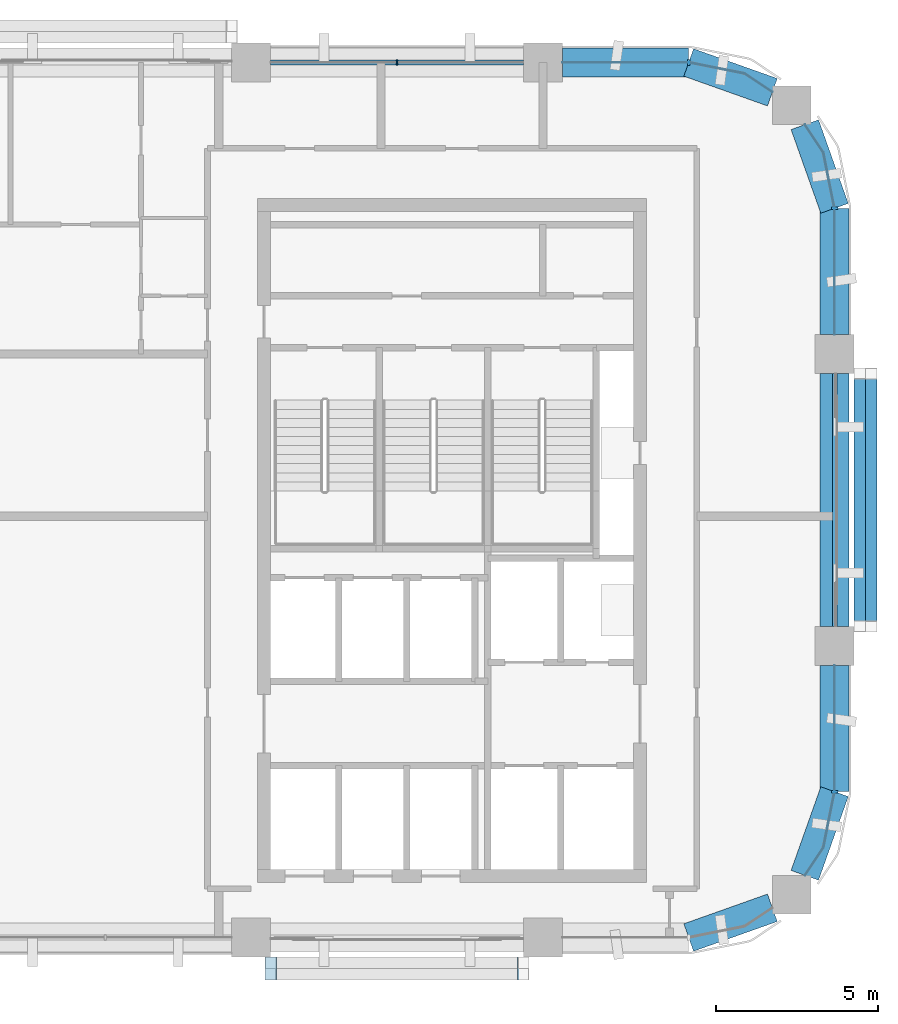
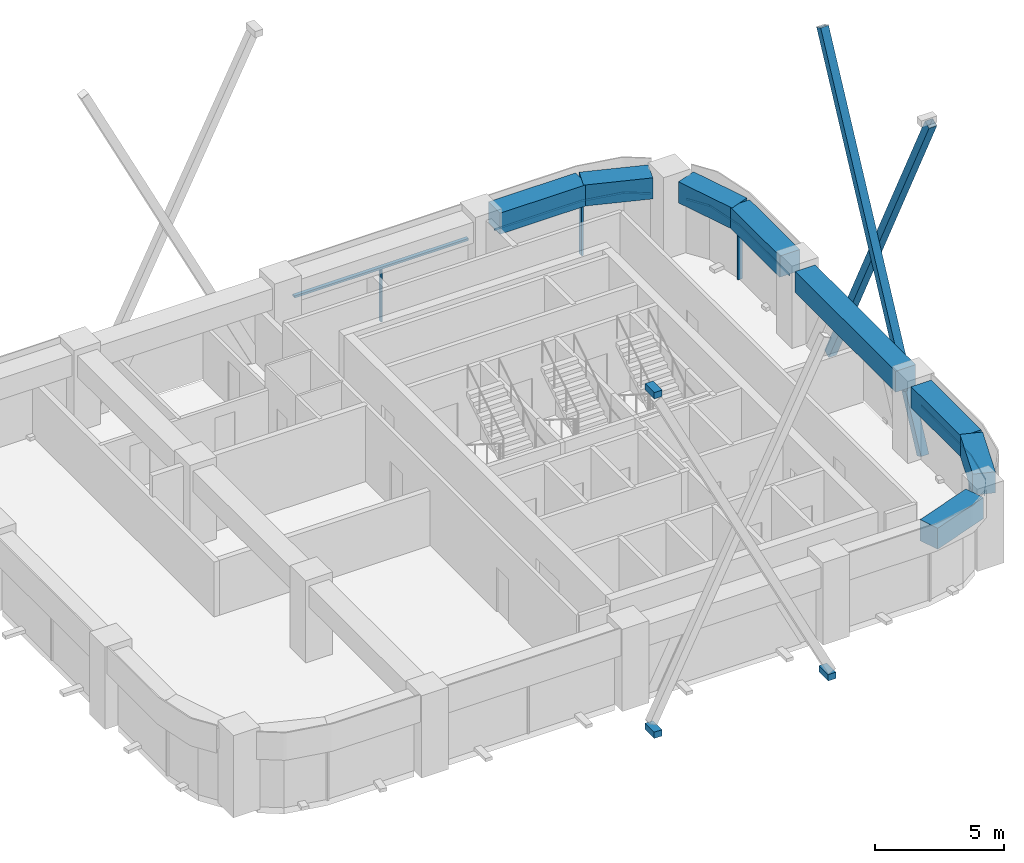
# One storey, part 4 of 10: 14 members, 8 beams, 5 elements without a shape of their own.
"""IFC4 building model written with IfcOpenShell, lengths in metres."""

from ifc_helpers import new_model, si_unit, direction, frame, origin, origin_2d, place, context, subcontext, project, spatial, polyline, rectangle, hollow_rectangle, outline, extrude, material, layer, layer_set, material_profile, profile_set, type_object, element, aggregate, save


model = new_model("IFC4")

# Units and contexts
model_context = context("Model", 3, precision=1e-05, world=origin(), true_north=direction((0.0, 1.0)))
body_context = subcontext(model_context, "Body", "Model", "MODEL_VIEW")
ifc_project = project(units=[si_unit("LENGTHUNIT", "METRE"), si_unit("AREAUNIT", "SQUARE_METRE"), si_unit("VOLUMEUNIT", "CUBIC_METRE"), si_unit("PLANEANGLEUNIT", "RADIAN"), si_unit("MASSUNIT", "GRAM", prefix="KILO")], contexts=[model_context])

# Site, building, storey
site_placement = place(None, origin())
site = spatial("IfcSite", under=ifc_project, at=site_placement, CompositionType="ELEMENT")
building_placement = place(site_placement, origin())
building = spatial("IfcBuilding", under=site, at=building_placement, Name="Tessera Arch", CompositionType="ELEMENT")
storey_placement = place(building_placement, frame((0.0, 0.0, 265.699951171875)))
storey = spatial("IfcBuildingStorey", under=building, at=storey_placement, Name="L64", CompositionType="ELEMENT", Elevation=265.699951171875)

# Members
ifc_material_1 = material(Name="Steel A500 Gr C", Category="steel")
ifc_material_profile_1 = material_profile(ifc_material_1, hollow_rectangle(XDim=0.355712890625, YDim=0.355712890625, WallThickness=0.01171875, at=origin_2d()), Name="HSS14x14x1/2")
ifc_profile_set_1 = profile_set([ifc_material_profile_1], Name="Steel A500 Gr C")
member_type_1 = type_object("IfcMemberType", Name="Brace HSS14x14x1/2 Steel A500 Gr C", PredefinedType="BRACE", material=ifc_profile_set_1)
for number, where, z_axis, x_axis, name in (
    (1, (54.77783203125, 36.60009765625, -0.800048828125), (0.0, 0.447202397208, 0.894432790058), (-1.0, 0.0, 0.0), "Brace E54.27-0 A L64-L67"),
    (2, (55.13330078125, 44.39990234375, -0.800048828125), (0.0, -0.447202397208, 0.894432790058), (1.0, 0.0, 0.0), "Brace E54.27-0 B L64-L67"),
):
    element("IfcMember", number, at=place(storey_placement, frame(where, z_axis=z_axis, x_axis=x_axis)), inside=storey, type_object=member_type_1, Name=name, PredefinedType="BRACE", context=body_context, shape_type="SweptSolid", body=[
        extrude(hollow_rectangle(XDim=0.355712890625, YDim=0.355712890625, WallThickness=0.01171875, at=origin_2d()), origin(), (0.0, 0.0, 1.0), 17.44140625),
    ])

# Curtain wall, members
ifc_material_2 = material(Name="CW1 curtain wall")
curtain_wall_type_1 = type_object("IfcCurtainWallType", Name="CW1 curtain wall", PredefinedType="NOTDEFINED", material=ifc_material_2)
curtain_wall_1_placement = place(storey_placement, origin())
curtain_wall_1 = element("IfcCurtainWall", 3, at=curtain_wall_1_placement, inside=storey, type_object=curtain_wall_type_1, Name="CW1 curtain wall N54.18/1 L64", PredefinedType="NOTDEFINED")
ifc_material_3 = material(Name="Anodised aluminium pale metal", Category="aluminium")
ifc_material_profile_2 = material_profile(ifc_material_3, rectangle(XDim=0.159912109375, YDim=0.06005859375, at=origin_2d()), Name="AL 60x160")
ifc_profile_set_2 = profile_set([ifc_material_profile_2], Name="Anodised aluminium pale metal")
member_type_2 = type_object("IfcMemberType", Name="CW1 mullion", PredefinedType="MULLION", material=ifc_profile_set_2)
member_1_placement = place(storey_placement, frame((40.5, 54.0, 0.0), z_axis=(0.0, 0.0, 1.0), x_axis=(0.0, -1.0, 0.0)))
member_1 = element("IfcMember", 4, at=member_1_placement, type_object=member_type_2, Name="CW1 mullion N54.18/1 1", PredefinedType="MULLION", context=body_context, shape_type="SweptSolid", body=[
    extrude(rectangle(XDim=0.159912109375, YDim=0.06005859375, at=origin_2d()), origin(), (0.0, 0.0, 1.0), 2.5),
])
ifc_material_4 = material(Name="Anodised aluminium pale metal", Category="aluminium")
ifc_material_profile_3 = material_profile(ifc_material_4, rectangle(XDim=0.159912109375, YDim=0.10009765625, at=origin_2d()), Name="AL 160x100")
ifc_profile_set_3 = profile_set([ifc_material_profile_3], Name="Anodised aluminium pale metal")
member_type_3 = type_object("IfcMemberType", Name="CW1 transom", PredefinedType="USERDEFINED", material=ifc_profile_set_3)
member_2_placement = place(storey_placement, frame((44.39990234375, 54.0, 2.550048828125), z_axis=(-1.0, 0.0, 0.0), x_axis=(0.0, -1.0, 0.0)))
member_2 = element("IfcMember", 5, at=member_2_placement, type_object=member_type_3, Name="CW1 transom N54.18/1 1.1", ObjectType="TRANSOM", PredefinedType="USERDEFINED", context=body_context, shape_type="SweptSolid", body=[
    extrude(rectangle(XDim=0.159912109375, YDim=0.10009765625, at=origin_2d()), origin(), (0.0, 0.0, 1.0), 7.7998046875),
])
aggregate(curtain_wall_1, [member_1, member_2])

# Curtain wall, member
ifc_material_5 = material(Name="CW2 curtain wall")
curtain_wall_type_2 = type_object("IfcCurtainWallType", Name="CW2 curtain wall", PredefinedType="NOTDEFINED", material=ifc_material_5)
curtain_wall_2_placement = place(storey_placement, origin())
curtain_wall_2 = element("IfcCurtainWall", 6, at=curtain_wall_2_placement, inside=storey, type_object=curtain_wall_type_2, Name="CW2 curtain wall E54.27/1 L64", PredefinedType="NOTDEFINED")
ifc_material_6 = material(Name="Anodised aluminium pale metal", Category="aluminium")
ifc_material_profile_4 = material_profile(ifc_material_6, rectangle(XDim=0.199951171875, YDim=0.080078125, at=origin_2d()), Name="AL 80x200")
ifc_profile_set_4 = profile_set([ifc_material_profile_4], Name="Anodised aluminium pale metal")
member_type_4 = type_object("IfcMemberType", Name="CW2 mullion", PredefinedType="MULLION", material=ifc_profile_set_4)
member_3_placement = place(storey_placement, frame((54.0, 49.5, 0.0), z_axis=(0.0, 0.0, 1.0), x_axis=(-1.0, 0.0, 0.0)))
member_3 = element("IfcMember", 7, at=member_3_placement, type_object=member_type_4, Name="CW2 mullion E54.27/1 1", PredefinedType="MULLION", context=body_context, shape_type="SweptSolid", body=[
    extrude(rectangle(XDim=0.199951171875, YDim=0.080078125, at=origin_2d()), origin(), (0.0, 0.0, 1.0), 2.5),
])

curtain_wall_3_placement = place(storey_placement, origin())
curtain_wall_3 = element("IfcCurtainWall", 8, at=curtain_wall_3_placement, inside=storey, type_object=curtain_wall_type_2, Name="CW2 curtain wall N54.18/0 L64", PredefinedType="NOTDEFINED")
member_4_placement = place(storey_placement, frame((49.5, 54.0, 0.0), z_axis=(0.0, 0.0, 1.0), x_axis=(0.0, -1.0, 0.0)))
member_4 = element("IfcMember", 9, at=member_4_placement, type_object=member_type_4, Name="CW2 mullion N54.18/0 1", PredefinedType="MULLION", context=body_context, shape_type="SweptSolid", body=[
    extrude(rectangle(XDim=0.199951171875, YDim=0.080078125, at=origin_2d()), origin(), (0.0, 0.0, 1.0), 2.5),
])

curtain_wall_4_placement = place(storey_placement, origin())
curtain_wall_4 = element("IfcCurtainWall", 10, at=curtain_wall_4_placement, inside=storey, type_object=curtain_wall_type_2, Name="CW2 curtain wall E54.27/2 L64", PredefinedType="NOTDEFINED")
member_5_placement = place(storey_placement, frame((54.0, 31.5, 0.0), z_axis=(0.0, 0.0, 1.0), x_axis=(-1.0, 0.0, 0.0)))
member_5 = element("IfcMember", 11, at=member_5_placement, type_object=member_type_4, Name="CW2 mullion E54.27/2 1", PredefinedType="MULLION", context=body_context, shape_type="SweptSolid", body=[
    extrude(rectangle(XDim=0.199951171875, YDim=0.080078125, at=origin_2d()), origin(), (0.0, 0.0, 1.0), 2.5),
])

# Member
ifc_material_7 = material(Name="Anodised aluminium pale metal", Category="aluminium")
ifc_material_profile_5 = material_profile(ifc_material_7, rectangle(XDim=0.199951171875, YDim=0.10009765625, at=origin_2d()), Name="AL 200x100")
ifc_profile_set_5 = profile_set([ifc_material_profile_5], Name="Anodised aluminium pale metal")
member_type_5 = type_object("IfcMemberType", Name="CW2 transom", PredefinedType="USERDEFINED", material=ifc_profile_set_5)
member_6_placement = place(storey_placement, frame((0.0, 0.0, 2.5)))
member_6 = element("IfcMember", 12, at=member_6_placement, type_object=member_type_5, Name="CW2 transom E54.27/1 1", ObjectType="TRANSOM", PredefinedType="USERDEFINED", context=body_context, shape_type="SweptSolid", body=[
    extrude(outline(polyline([(53.989990234375, 49.4990234375), (53.989990234375, 45.60009765625), (54.010009765625, 45.60009765625), (54.010009765625, 49.5009765625), (53.6669921875, 51.22607421875), (53.09130859375, 52.087646484375), (53.07470703125, 52.076416015625), (53.648193359375, 51.21826171875), (53.989990234375, 49.4990234375)])), origin(), (0.0, 0.0, 1.0), 0.10009765625),
])

aggregate(curtain_wall_2, [member_3, member_6])

member_7_placement = place(storey_placement, frame((0.0, 0.0, 2.5)))
member_7 = element("IfcMember", 13, at=member_7_placement, type_object=member_type_5, Name="CW2 transom N54.18/0 1", ObjectType="TRANSOM", PredefinedType="USERDEFINED", context=body_context, shape_type="SweptSolid", body=[
    extrude(outline(polyline([(51.21826171875, 53.648193359375), (52.076416015625, 53.07470703125), (52.087646484375, 53.09130859375), (51.22607421875, 53.6669921875), (49.5009765625, 54.010009765625), (45.60009765625, 54.010009765625), (45.60009765625, 53.989990234375), (49.4990234375, 53.989990234375), (51.21826171875, 53.648193359375)])), origin(), (0.0, 0.0, 1.0), 0.10009765625),
])

aggregate(curtain_wall_3, [member_4, member_7])

member_8_placement = place(storey_placement, frame((0.0, 0.0, 2.5)))
member_8 = element("IfcMember", 14, at=member_8_placement, type_object=member_type_5, Name="CW2 transom E54.27/2 1", ObjectType="TRANSOM", PredefinedType="USERDEFINED", context=body_context, shape_type="SweptSolid", body=[
    extrude(outline(polyline([(53.648193359375, 29.78173828125), (53.07470703125, 28.923583984375), (53.09130859375, 28.912353515625), (53.6669921875, 29.77392578125), (54.010009765625, 31.4990234375), (54.010009765625, 35.39990234375), (53.989990234375, 35.39990234375), (53.989990234375, 31.5009765625), (53.648193359375, 29.78173828125)])), origin(), (0.0, 0.0, 1.0), 0.10009765625),
])

aggregate(curtain_wall_4, [member_5, member_8])

# Curtain wall, member
ifc_material_8 = material(Name="CW3 curtain wall")
curtain_wall_type_3 = type_object("IfcCurtainWallType", Name="CW3 curtain wall", PredefinedType="NOTDEFINED", material=ifc_material_8)
curtain_wall_5_placement = place(storey_placement, origin())
curtain_wall_5 = element("IfcCurtainWall", 15, at=curtain_wall_5_placement, inside=storey, type_object=curtain_wall_type_3, Name="CW3 curtain wall E54.27/0 L64", PredefinedType="NOTDEFINED")
ifc_material_9 = material(Name="Anodised aluminium pale metal", Category="aluminium")
ifc_material_profile_6 = material_profile(ifc_material_9, rectangle(XDim=0.139892578125, YDim=0.10009765625, at=origin_2d()), Name="AL 140x100")
ifc_profile_set_6 = profile_set([ifc_material_profile_6], Name="Anodised aluminium pale metal")
member_type_6 = type_object("IfcMemberType", Name="CW3 transom", PredefinedType="USERDEFINED", material=ifc_profile_set_6)
member_9_placement = place(storey_placement, frame((54.0, 36.60009765625, 2.550048828125), z_axis=(0.0, 1.0, 0.0), x_axis=(-1.0, 0.0, 0.0)))
member_9 = element("IfcMember", 16, at=member_9_placement, type_object=member_type_6, Name="CW3 transom E54.27/0 1.1", ObjectType="TRANSOM", PredefinedType="USERDEFINED", context=body_context, shape_type="SweptSolid", body=[
    extrude(rectangle(XDim=0.139892578125, YDim=0.10009765625, at=origin_2d()), origin(), (0.0, 0.0, 1.0), 7.7998046875),
])
aggregate(curtain_wall_5, [member_9])

# Members
ifc_material_10 = material(Name="Steel A572 Gr50", Category="steel")
ifc_layer = layer(ifc_material_10, 0.050048828125)
ifc_layer_set = layer_set([ifc_layer], Name="Node block Steel A572 Gr50")
member_type_7 = type_object("IfcMemberType", Name="Node block Steel A572 Gr50", PredefinedType="PLATE", material=ifc_layer_set)
for number, where, z_axis, x_axis, name in (
    (17, (44.39990234375, 26.04443359375, -1.20166015625), (0.0, 0.0, 1.0), (1.0, 0.0, 0.0), "Node block seat S27.18-2 1 L64"),
    (18, (36.60009765625, 26.04443359375, -1.20166015625), (0.0, 0.0, 1.0), (1.0, 0.0, 0.0), "Node block seat S27.18-2 2 L64"),
    (19, (36.60009765625, 26.04443359375, 14.90185546875), (0.0, 0.0, 1.0), (1.0, 0.0, 0.0), "Node block head S27.18-2 B L64"),
):
    element("IfcMember", number, at=place(storey_placement, frame(where, z_axis=z_axis, x_axis=x_axis)), inside=storey, type_object=member_type_7, Name=name, PredefinedType="PLATE", context=body_context, shape_type="SweptSolid", body=[
        extrude(rectangle(XDim=0.355712890625, YDim=0.711181640625, at=origin_2d()), origin(), (0.0, 0.0, 1.0), 0.300048828125),
    ])

# Beams
ifc_material_11 = material(Name="Concrete C60/75", Category="concrete")
ifc_material_profile_7 = material_profile(ifc_material_11, rectangle(XDim=0.89990234375, YDim=1.0, at=origin_2d()), Name="RC spandrel beam 900 x 1000 Concrete C60/75")
ifc_profile_set_7 = profile_set([ifc_material_profile_7], Name="Concrete C60/75")
beam_type = type_object("IfcBeamType", Name="RC spandrel beam 900 x 1000 Concrete C60/75", PredefinedType="BEAM", material=ifc_profile_set_7)
beam_1_placement = place(storey_placement, frame((54.0, 36.60009765625, 3.10009765625), z_axis=(0.0, 1.0, 0.0), x_axis=(-1.0, 0.0, 0.0)))
element("IfcBeam", 20, at=beam_1_placement, inside=storey, type_object=beam_type, Name="Spandrel beam L64 E54.27/0", PredefinedType="BEAM", context=body_context, shape_type="SweptSolid", body=[
    extrude(rectangle(XDim=0.89990234375, YDim=1.0, at=origin_2d()), origin(), (0.0, 0.0, 1.0), 7.7998046875),
])
beam_2_placement = place(storey_placement, frame((54.0, 45.60009765625, 3.10009765625), z_axis=(0.0, 1.0, 0.0), x_axis=(-1.0, 0.0, 0.0)))
element("IfcBeam", 21, at=beam_2_placement, inside=storey, type_object=beam_type, Name="Spandrel beam L64 E54.27/1.1", PredefinedType="BEAM", context=body_context, shape_type="SweptSolid", body=[
    extrude(rectangle(XDim=0.89990234375, YDim=1.0, at=origin_2d()), origin(), (0.0, 0.0, 1.0), 3.89990234375),
])
for number, where, z_axis, x_axis, name in (
    (22, (54.0, 49.5, 3.10009765625), (-0.334665114373, 0.942337127159, 0.0), (-0.942337127159, -0.334665114373, 0.0), "Spandrel beam L64 E54.27/1.2"),
    (23, (52.08203125, 53.0830078125, 3.10009765625), (-0.942337127159, 0.334665114373, 0.0), (-0.334665114373, -0.942337127159, 0.0), "Spandrel beam L64 N54.18/0.1"),
):
    element("IfcBeam", number, at=place(storey_placement, frame(where, z_axis=z_axis, x_axis=x_axis)), inside=storey, type_object=beam_type, Name=name, PredefinedType="BEAM", context=body_context, shape_type="SweptSolid", body=[
        extrude(rectangle(XDim=0.89990234375, YDim=1.0, at=origin_2d()), origin(), (0.0, 0.0, 1.0), 2.739990234375),
    ])
beam_3_placement = place(storey_placement, frame((49.5, 54.0, 3.10009765625), z_axis=(-1.0, 0.0, 0.0), x_axis=(0.0, -1.0, 0.0)))
element("IfcBeam", 24, at=beam_3_placement, inside=storey, type_object=beam_type, Name="Spandrel beam L64 N54.18/0.2", PredefinedType="BEAM", context=body_context, shape_type="SweptSolid", body=[
    extrude(rectangle(XDim=0.89990234375, YDim=1.0, at=origin_2d()), origin(), (0.0, 0.0, 1.0), 3.89990234375),
])
for number, where, z_axis, x_axis, name in (
    (25, (49.5, 27.0, 3.10009765625), (0.942337127159, 0.334665114373, 0.0), (-0.334665114373, 0.942337127159, 0.0), "Spandrel beam L64 S27.18/3.2"),
    (26, (53.0830078125, 28.91796875, 3.10009765625), (0.334665114373, 0.942337127159, 0.0), (-0.942337127159, 0.334665114373, 0.0), "Spandrel beam L64 E54.27/2.1"),
):
    element("IfcBeam", number, at=place(storey_placement, frame(where, z_axis=z_axis, x_axis=x_axis)), inside=storey, type_object=beam_type, Name=name, PredefinedType="BEAM", context=body_context, shape_type="SweptSolid", body=[
        extrude(rectangle(XDim=0.89990234375, YDim=1.0, at=origin_2d()), origin(), (0.0, 0.0, 1.0), 2.739990234375),
    ])
beam_4_placement = place(storey_placement, frame((54.0, 31.5, 3.10009765625), z_axis=(0.0, 1.0, 0.0), x_axis=(-1.0, 0.0, 0.0)))
element("IfcBeam", 27, at=beam_4_placement, inside=storey, type_object=beam_type, Name="Spandrel beam L64 E54.27/2.2", PredefinedType="BEAM", context=body_context, shape_type="SweptSolid", body=[
    extrude(rectangle(XDim=0.89990234375, YDim=1.0, at=origin_2d()), origin(), (0.0, 0.0, 1.0), 3.89990234375),
])

save(model, "model.ifc")
